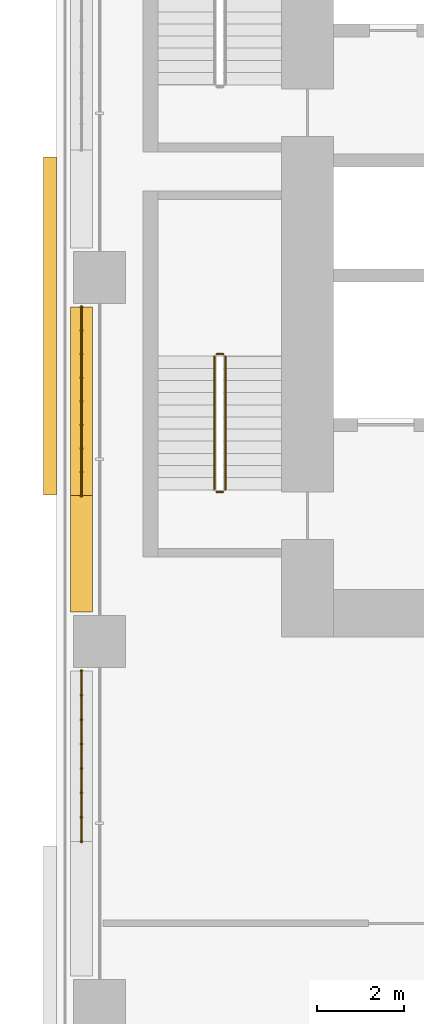
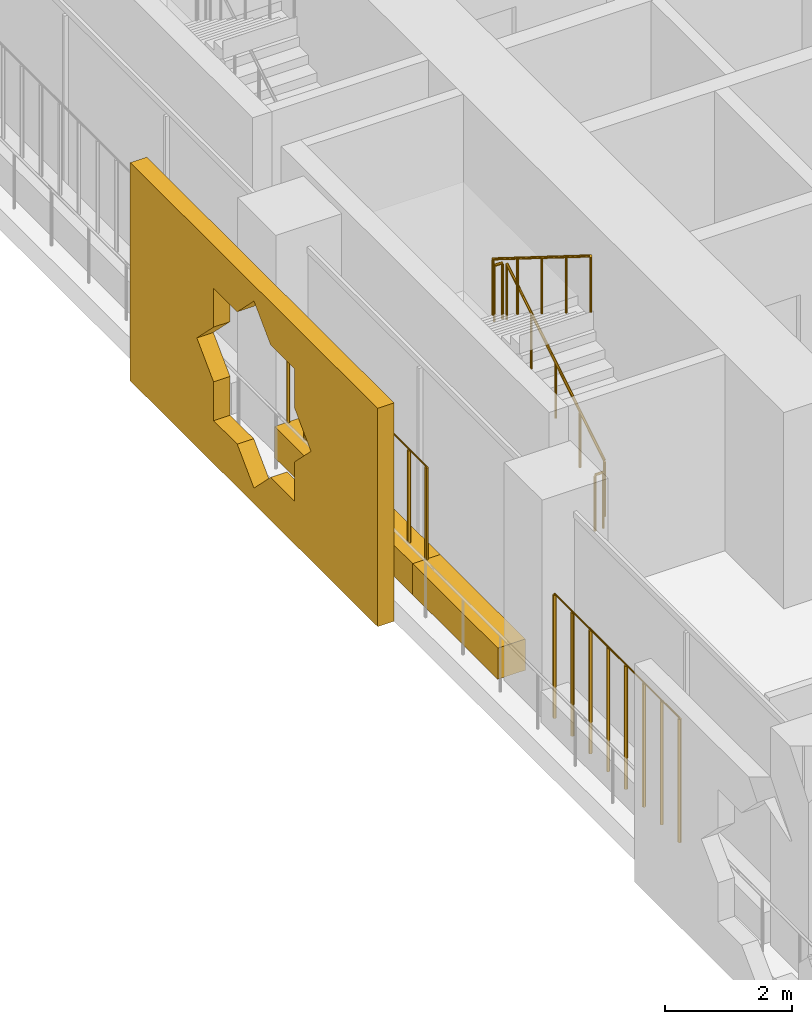
# One storey, part 21 of 28: 6 railings, 3 coverings.
"""IFC4 building model written with IfcOpenShell, lengths in metres."""

from ifc_helpers import new_model, si_unit, direction, frame, origin, origin_2d, place, context, subcontext, project, spatial, polyline, rectangle, circle, outline, extrude, material, material_profile, profile_set, type_object, element, save


model = new_model("IFC4")

# Units and contexts
model_context = context("Model", 3, precision=1e-05, world=origin(), true_north=direction((0.0, 1.0)))
body_context = subcontext(model_context, "Body", "Model", "MODEL_VIEW")
ifc_project = project(units=[si_unit("LENGTHUNIT", "METRE"), si_unit("AREAUNIT", "SQUARE_METRE"), si_unit("VOLUMEUNIT", "CUBIC_METRE"), si_unit("PLANEANGLEUNIT", "RADIAN"), si_unit("MASSUNIT", "GRAM", prefix="KILO")], contexts=[model_context])

# Site, building, storey
site_placement = place(None, origin())
site = spatial("IfcSite", under=ifc_project, at=site_placement, CompositionType="ELEMENT")
building_placement = place(site_placement, origin())
building = spatial("IfcBuilding", under=site, at=building_placement, Name="Kawkab Arch Medical Tower", CompositionType="ELEMENT")
storey_placement = place(building_placement, frame((0.0, 0.0, 47.60009765625)))
storey = spatial("IfcBuildingStorey", under=building, at=storey_placement, Name="L10", CompositionType="ELEMENT", Elevation=47.60009765625)

# Coverings
ifc_material_1 = material(Name="Bronze anodised aluminium mashrabiya panel, eight-point star pattern", Category="aluminium")
ifc_material_profile_1 = material_profile(ifc_material_1, outline(polyline([(-3.89990234375, -2.10009765625), (3.89990234375, -2.10009765625), (3.89990234375, 2.10009765625), (-3.89990234375, 2.10009765625), (-3.89990234375, -2.10009765625)]), holes=[polyline([(1.800048828125, 0.0), (1.272705078125, 0.527099609375), (1.272705078125, 1.272705078125), (0.527099609375, 1.272705078125), (0.0, 1.800048828125), (-0.527099609375, 1.272705078125), (-1.272705078125, 1.272705078125), (-1.272705078125, 0.527099609375), (-1.800048828125, 0.0), (-1.272705078125, -0.527099609375), (-1.272705078125, -1.272705078125), (-0.527099609375, -1.272705078125), (0.0, -1.800048828125), (0.527099609375, -1.272705078125), (1.272705078125, -1.272705078125), (1.272705078125, -0.527099609375), (1.800048828125, 0.0)])]), Name="Mashrabiya panel 7800x4200")
ifc_profile_set_1 = profile_set([ifc_material_profile_1], Name="Bronze anodised aluminium mashrabiya panel, eight-point star pattern")
covering_type_1 = type_object("IfcCoveringType", Name="Mashrabiya panel 7800 x 4200", PredefinedType="USERDEFINED", material=ifc_profile_set_1)
covering_1_placement = place(storey_placement, frame((-1.0, -17.923583984375, 1.699951171875), z_axis=(-1.0, 0.0, 0.0), x_axis=(0.0, -1.0, 0.0)))
element("IfcCovering", 1, at=covering_1_placement, inside=storey, type_object=covering_type_1, Name="Mashrabiya panel L10.LOG-01-02.3", ObjectType="SCREEN", PredefinedType="USERDEFINED", context=body_context, shape_type="SweptSolid", body=[
    extrude(outline(polyline([(-3.89990234375, -2.10009765625), (3.89990234375, -2.10009765625), (3.89990234375, 2.10009765625), (-3.89990234375, 2.10009765625), (-3.89990234375, -2.10009765625)]), holes=[polyline([(1.800048828125, 0.0), (1.272705078125, 0.527099609375), (1.272705078125, 1.272705078125), (0.527099609375, 1.272705078125), (0.0, 1.800048828125), (-0.527099609375, 1.272705078125), (-1.272705078125, 1.272705078125), (-1.272705078125, 0.527099609375), (-1.800048828125, 0.0), (-1.272705078125, -0.527099609375), (-1.272705078125, -1.272705078125), (-0.527099609375, -1.272705078125), (0.0, -1.800048828125), (0.527099609375, -1.272705078125), (1.272705078125, -1.272705078125), (1.272705078125, -0.527099609375), (1.800048828125, 0.0)])]), origin(), (0.0, 0.0, 1.0), 0.300048828125),
])
ifc_material_2 = material(Name="Planting soil in a precast trough", Category="concrete")
ifc_material_profile_2 = material_profile(ifc_material_2, rectangle(XDim=0.5, YDim=0.60009765625, at=origin_2d()), Name="Trough 500x600")
ifc_profile_set_2 = profile_set([ifc_material_profile_2], Name="Planting soil in a precast trough")
covering_type_2 = type_object("IfcCoveringType", Name="Planter trough 500 x 600", PredefinedType="USERDEFINED", material=ifc_profile_set_2)
covering_2_placement = place(storey_placement, frame((-0.419921875, -24.52001953125, 0.2998046875), z_axis=(0.0, 1.0, 0.0), x_axis=(-1.0, 0.0, 0.0)))
element("IfcCovering", 2, at=covering_2_placement, inside=storey, type_object=covering_type_2, Name="Planter L10.LOG-01-02.18", ObjectType="PLANTER", PredefinedType="USERDEFINED", context=body_context, shape_type="SweptSolid", body=[
    extrude(rectangle(XDim=0.5, YDim=0.60009765625, at=origin_2d()), origin(), (0.0, 0.0, 1.0), 2.68310546875),
])
covering_3_placement = place(storey_placement, frame((-0.419921875, -21.8369140625, 0.2998046875), z_axis=(0.0, 1.0, 0.0), x_axis=(-1.0, 0.0, 0.0)))
element("IfcCovering", 3, at=covering_3_placement, inside=storey, type_object=covering_type_2, Name="Planter L10.LOG-01-02.19", ObjectType="PLANTER", PredefinedType="USERDEFINED", context=body_context, shape_type="SweptSolid", body=[
    extrude(rectangle(XDim=0.5, YDim=0.60009765625, at=origin_2d()), origin(), (0.0, 0.0, 1.0), 4.35693359375),
])

# Railings
ifc_material_3 = material(Name="Bronze anodised aluminium trellis for climbing plants", Category="aluminium")
railing_type_1 = type_object("IfcRailingType", Name="Planting trellis 2400", PredefinedType="USERDEFINED", material=ifc_material_3)
railing_1_placement = place(storey_placement, frame((-0.419921875, -29.819091796875, 0.0)))
element("IfcRailing", 4, at=railing_1_placement, inside=storey, type_object=railing_type_1, Name="Planting trellis L10.LOG-01-02.17", ObjectType="TRELLIS", PredefinedType="USERDEFINED", context=body_context, shape_type="SweptSolid", body=[
    extrude(circle(Radius=0.01513671875, at=origin_2d()), frame((0.0, 0.0, 2.384765625), z_axis=(0.0, 1.0, 0.0), x_axis=(-1.0, 0.0, 0.0)), (0.0, 0.0, 1.0), 3.939208984375),
    extrude(circle(Radius=0.030029296875, at=origin_2d()), origin(), (0.0, 0.0, 1.0), 2.369873046875),
    extrude(circle(Radius=0.030029296875, at=origin_2d()), frame((0.0, 0.562744140625, 0.0)), (0.0, 0.0, 1.0), 2.369873046875),
    extrude(circle(Radius=0.030029296875, at=origin_2d()), frame((0.0, 1.12548828125, 0.0)), (0.0, 0.0, 1.0), 2.369873046875),
    extrude(circle(Radius=0.030029296875, at=origin_2d()), frame((0.0, 1.688232421875, 0.0)), (0.0, 0.0, 1.0), 2.369873046875),
    extrude(circle(Radius=0.030029296875, at=origin_2d()), frame((0.0, 2.2509765625, 0.0)), (0.0, 0.0, 1.0), 2.369873046875),
    extrude(circle(Radius=0.030029296875, at=origin_2d()), frame((0.0, 2.813720703125, 0.0)), (0.0, 0.0, 1.0), 2.369873046875),
    extrude(circle(Radius=0.030029296875, at=origin_2d()), frame((0.0, 3.37646484375, 0.0)), (0.0, 0.0, 1.0), 2.369873046875),
    extrude(circle(Radius=0.030029296875, at=origin_2d()), frame((0.0, 3.939208984375, 0.0)), (0.0, 0.0, 1.0), 2.369873046875),
])
railing_2_placement = place(storey_placement, frame((-0.419921875, -21.8369140625, 0.0)))
element("IfcRailing", 5, at=railing_2_placement, inside=storey, type_object=railing_type_1, Name="Planting trellis L10.LOG-01-02.19", ObjectType="TRELLIS", PredefinedType="USERDEFINED", context=body_context, shape_type="SweptSolid", body=[
    extrude(circle(Radius=0.01513671875, at=origin_2d()), frame((0.0, 0.0, 2.384765625), z_axis=(0.0, 1.0, 0.0), x_axis=(-1.0, 0.0, 0.0)), (0.0, 0.0, 1.0), 4.35693359375),
    extrude(circle(Radius=0.030029296875, at=origin_2d()), origin(), (0.0, 0.0, 1.0), 2.369873046875),
    extrude(circle(Radius=0.030029296875, at=origin_2d()), frame((0.0, 0.544677734375, 0.0)), (0.0, 0.0, 1.0), 2.369873046875),
    extrude(circle(Radius=0.030029296875, at=origin_2d()), frame((0.0, 1.08935546875, 0.0)), (0.0, 0.0, 1.0), 2.369873046875),
    extrude(circle(Radius=0.030029296875, at=origin_2d()), frame((0.0, 1.6337890625, 0.0)), (0.0, 0.0, 1.0), 2.369873046875),
    extrude(circle(Radius=0.030029296875, at=origin_2d()), frame((0.0, 2.178466796875, 0.0)), (0.0, 0.0, 1.0), 2.369873046875),
    extrude(circle(Radius=0.030029296875, at=origin_2d()), frame((0.0, 2.72314453125, 0.0)), (0.0, 0.0, 1.0), 2.369873046875),
    extrude(circle(Radius=0.030029296875, at=origin_2d()), frame((0.0, 3.267578125, 0.0)), (0.0, 0.0, 1.0), 2.369873046875),
    extrude(circle(Radius=0.030029296875, at=origin_2d()), frame((0.0, 3.812255859375, 0.0)), (0.0, 0.0, 1.0), 2.369873046875),
    extrude(circle(Radius=0.030029296875, at=origin_2d()), frame((0.0, 4.35693359375, 0.0)), (0.0, 0.0, 1.0), 2.369873046875),
])
ifc_material_4 = material(Name="Stainless steel", Category="steel")
railing_type_2 = type_object("IfcRailingType", Name="Stair guard 1100", PredefinedType="GUARDRAIL", material=ifc_material_4)
railing_3_placement = place(storey_placement, frame((2.89990234375, -21.699951171875, 0.1748046875)))
element("IfcRailing", 6, at=railing_3_placement, inside=storey, type_object=railing_type_2, Name="L10 ST2 stair guard 1", PredefinedType="GUARDRAIL", context=body_context, shape_type="SweptSolid", body=[
    extrude(circle(Radius=0.02392578125, at=origin_2d()), frame((0.0, 0.0, 1.076171875), z_axis=(0.0, 0.847979421464, 0.530029150871), x_axis=(-1.0, 0.0, 0.0)), (0.0, 0.0, 1.0), 3.632080078125),
    extrude(circle(Radius=0.02099609375, at=origin_2d()), origin(), (0.0, 0.0, 1.0), 1.052001953125),
    extrude(circle(Radius=0.02099609375, at=origin_2d()), frame((0.0, 0.77001953125, 0.481201171875)), (0.0, 0.0, 1.0), 1.052001953125),
    extrude(circle(Radius=0.02099609375, at=origin_2d()), frame((0.0, 1.5400390625, 0.96240234375)), (0.0, 0.0, 1.0), 1.052001953125),
    extrude(circle(Radius=0.02099609375, at=origin_2d()), frame((0.0, 2.309814453125, 1.44384765625)), (0.0, 0.0, 1.0), 1.052001953125),
    extrude(circle(Radius=0.02099609375, at=origin_2d()), frame((0.0, 3.079833984375, 1.925048828125)), (0.0, 0.0, 1.0), 1.052001953125),
])
railing_4_placement = place(storey_placement, frame((2.85009765625, -18.570068359375, 2.099853515625)))
element("IfcRailing", 7, at=railing_4_placement, inside=storey, type_object=railing_type_2, Name="L10 ST2 stair guard 2", PredefinedType="GUARDRAIL", context=body_context, shape_type="SweptSolid", body=[
    extrude(circle(Radius=0.02392578125, at=origin_2d()), frame((0.0, 0.0, 1.076171875), z_axis=(-1.0, 0.0, 0.0), x_axis=(0.0, -1.0, 0.0)), (0.0, 0.0, 1.0), 0.150146484375),
    extrude(circle(Radius=0.02099609375, at=origin_2d()), origin(), (0.0, 0.0, 1.0), 1.052001953125),
    extrude(circle(Radius=0.02099609375, at=origin_2d()), frame((-0.150146484375, 0.0, 0.0)), (0.0, 0.0, 1.0), 1.052001953125),
])
railing_5_placement = place(storey_placement, frame((2.64990234375, -18.6201171875, 2.27490234375)))
element("IfcRailing", 8, at=railing_5_placement, inside=storey, type_object=railing_type_2, Name="L10 ST2 stair guard 3", PredefinedType="GUARDRAIL", context=body_context, shape_type="SweptSolid", body=[
    extrude(circle(Radius=0.02392578125, at=origin_2d()), frame((0.0, 0.0, 1.076171875), z_axis=(0.0, -0.847979421464, 0.530029150871), x_axis=(1.0, 0.0, 0.0)), (0.0, 0.0, 1.0), 3.632080078125),
    extrude(circle(Radius=0.02099609375, at=origin_2d()), origin(), (0.0, 0.0, 1.0), 1.052001953125),
    extrude(circle(Radius=0.02099609375, at=origin_2d()), frame((0.0, -0.77001953125, 0.481201171875)), (0.0, 0.0, 1.0), 1.052001953125),
    extrude(circle(Radius=0.02099609375, at=origin_2d()), frame((0.0, -1.5400390625, 0.96240234375)), (0.0, 0.0, 1.0), 1.052001953125),
    extrude(circle(Radius=0.02099609375, at=origin_2d()), frame((0.0, -2.309814453125, 1.44384765625)), (0.0, 0.0, 1.0), 1.052001953125),
    extrude(circle(Radius=0.02099609375, at=origin_2d()), frame((0.0, -3.079833984375, 1.925048828125)), (0.0, 0.0, 1.0), 1.052001953125),
])
railing_6_placement = place(storey_placement, frame((2.85009765625, -21.75, 0.0)))
element("IfcRailing", 9, at=railing_6_placement, inside=storey, type_object=railing_type_2, Name="L10 ST2 stair guard 4", PredefinedType="GUARDRAIL", context=body_context, shape_type="SweptSolid", body=[
    extrude(circle(Radius=0.02392578125, at=origin_2d()), frame((0.0, 0.0, 1.076171875), z_axis=(-1.0, 0.0, 0.0), x_axis=(0.0, -1.0, 0.0)), (0.0, 0.0, 1.0), 0.150146484375),
    extrude(circle(Radius=0.02099609375, at=origin_2d()), origin(), (0.0, 0.0, 1.0), 1.052001953125),
    extrude(circle(Radius=0.02099609375, at=origin_2d()), frame((-0.150146484375, 0.0, 0.0)), (0.0, 0.0, 1.0), 1.052001953125),
])

save(model, "model.ifc")
